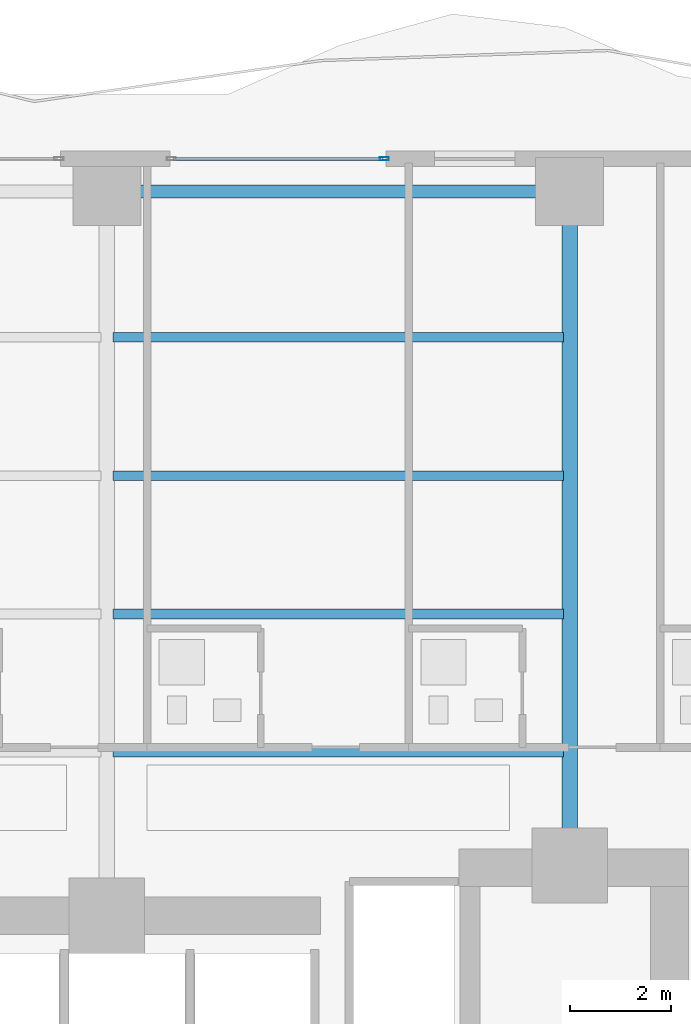
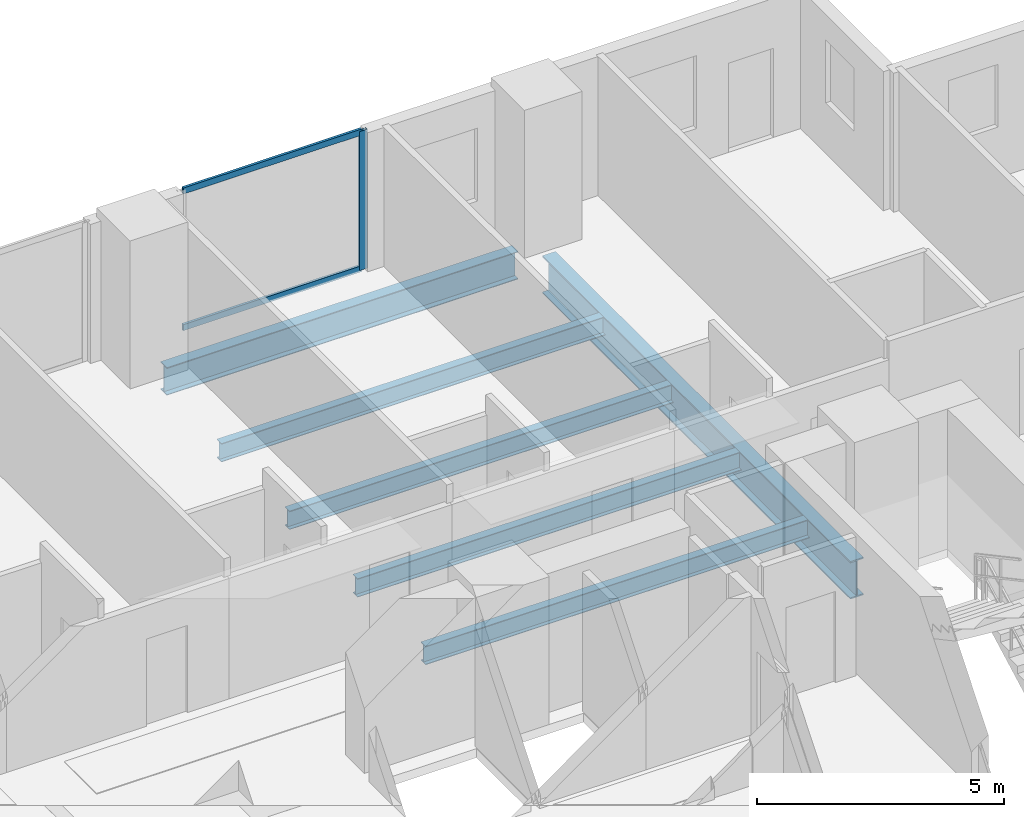
# One storey, part 18 of 29: 6 beams, 3 members, 1 element without a shape of its own.
"""IFC4 building model written with IfcOpenShell, lengths in metres."""

from ifc_helpers import new_model, si_unit, direction, frame, origin, origin_2d, place, context, subcontext, project, spatial, hollow_rectangle, i_section, extrude, material, layer, layer_set, material_profile, profile_set, type_object, element, aggregate, save


model = new_model("IFC4")

# Units and contexts
model_context = context("Model", 3, precision=1e-05, world=origin(), true_north=direction((0.0, 1.0)))
body_context = subcontext(model_context, "Body", "Model", "MODEL_VIEW")
ifc_project = project(units=[si_unit("LENGTHUNIT", "METRE"), si_unit("AREAUNIT", "SQUARE_METRE"), si_unit("VOLUMEUNIT", "CUBIC_METRE"), si_unit("PLANEANGLEUNIT", "RADIAN"), si_unit("MASSUNIT", "GRAM", prefix="KILO")], contexts=[model_context])

# Site, building, storey
site_placement = place(None, origin())
site = spatial("IfcSite", under=ifc_project, at=site_placement, CompositionType="ELEMENT")
building_placement = place(site_placement, origin())
building = spatial("IfcBuilding", under=site, at=building_placement, Name="Zuhayl Quay Hotel", CompositionType="ELEMENT")
storey_placement = place(building_placement, frame((0.0, 0.0, 113.89990234375)))
storey = spatial("IfcBuildingStorey", under=building, at=storey_placement, Name="L28", CompositionType="ELEMENT", Elevation=113.89990234375)

# Beams
ifc_material_1 = material(Name="Steel ASTM A992 Grade 50", Category="steel")
ifc_material_profile_1 = material_profile(ifc_material_1, i_section(OverallWidth=0.25390625, OverallDepth=0.68310546875, WebThickness=0.012451171875, FlangeThickness=0.018798828125, at=origin_2d()), Name="W27X94")
ifc_profile_set_1 = profile_set([ifc_material_profile_1], Name="Steel ASTM A992 Grade 50")
beam_type_1 = type_object("IfcBeamType", Name="BM_B2_W27X94", PredefinedType="BEAM", material=ifc_profile_set_1)
beam_1_placement = place(storey_placement, frame((13.300048828125, 27.75, -0.5615234375), z_axis=(-1.0, 0.0, 0.0), x_axis=(0.0, -1.0, 0.0)))
element("IfcBeam", 1, at=beam_1_placement, inside=storey, type_object=beam_type_1, Name="L28 Floor Beam RG_L28_07", PredefinedType="BEAM", context=body_context, shape_type="SweptSolid", body=[
    extrude(i_section(OverallWidth=0.25390625, OverallDepth=0.68310546875, WebThickness=0.012451171875, FlangeThickness=0.018798828125, at=origin_2d()), origin(), (0.0, 0.0, 1.0), 8.199951171875),
])
ifc_material_profile_2 = material_profile(ifc_material_1, i_section(OverallWidth=0.18994140625, OverallDepth=0.45703125, WebThickness=0.009033203125, FlangeThickness=0.014404296875, at=origin_2d()), Name="W18X50")
ifc_profile_set_2 = profile_set([ifc_material_profile_2], Name="Steel ASTM A992 Grade 50")
beam_type_2 = type_object("IfcBeamType", Name="BM_J2_W18X50", PredefinedType="JOIST", material=ifc_profile_set_2)
for number, where, z_axis, x_axis, name in (
    (2, (4.718994140625, 16.60009765625, -0.448486328125), (1.0, 0.0, 0.0), (0.0, 1.0, 0.0), "L28 Floor Beam FJ_L28_1_3"),
    (3, (4.718994140625, 19.35009765625, -0.448486328125), (1.0, 0.0, 0.0), (0.0, 1.0, 0.0), "L28 Floor Beam FJ_L28_2_3"),
    (4, (4.718994140625, 22.10009765625, -0.448486328125), (1.0, 0.0, 0.0), (0.0, 1.0, 0.0), "L28 Floor Beam FJ_L28_3_3"),
    (5, (4.718994140625, 24.85009765625, -0.448486328125), (1.0, 0.0, 0.0), (0.0, 1.0, 0.0), "L28 Floor Beam FJ_L28_4_3"),
):
    element("IfcBeam", number, at=place(storey_placement, frame(where, z_axis=z_axis, x_axis=x_axis)), inside=storey, type_object=beam_type_2, Name=name, PredefinedType="JOIST", context=body_context, shape_type="SweptSolid", body=[
        extrude(i_section(OverallWidth=0.18994140625, OverallDepth=0.45703125, WebThickness=0.009033203125, FlangeThickness=0.014404296875, at=origin_2d()), origin(), (0.0, 0.0, 1.0), 8.9619140625),
    ])
ifc_material_profile_3 = material_profile(ifc_material_1, i_section(OverallWidth=0.306884765625, OverallDepth=0.927001953125, WebThickness=0.019287109375, FlangeThickness=0.031982421875, at=origin_2d()), Name="W36X194")
ifc_profile_set_3 = profile_set([ifc_material_profile_3], Name="Steel ASTM A992 Grade 50")
beam_type_3 = type_object("IfcBeamType", Name="BM_PG2_W36X194", PredefinedType="BEAM", material=ifc_profile_set_3)
beam_2_placement = place(storey_placement, frame((13.800048828125, 14.800048828125, -0.683349609375), z_axis=(0.0, 1.0, 0.0), x_axis=(-1.0, 0.0, 0.0)))
element("IfcBeam", 6, at=beam_2_placement, inside=storey, type_object=beam_type_3, Name="L28 Floor Beam FG_N_L28_4", PredefinedType="BEAM", context=body_context, shape_type="SweptSolid", body=[
    extrude(i_section(OverallWidth=0.306884765625, OverallDepth=0.927001953125, WebThickness=0.019287109375, FlangeThickness=0.031982421875, at=origin_2d()), origin(), (0.0, 0.0, 1.0), 12.449951171875),
])

# Curtain wall, members
ifc_material_2 = material(Name="Anodised Aluminium 6063-T6", Category="aluminium")
ifc_layer = layer(ifc_material_2, 0.179931640625, Name="Anodised Aluminium 6063-T6", Category="aluminium")
ifc_layer_set = layer_set([ifc_layer], Name="Anodised Aluminium 6063-T6")
curtain_wall_type = type_object("IfcCurtainWallType", Name="CW_SYS_Z2", PredefinedType="USERDEFINED", material=ifc_layer_set)
curtain_wall_placement = place(storey_placement, origin())
curtain_wall = element("IfcCurtainWall", 7, at=curtain_wall_placement, inside=storey, type_object=curtain_wall_type, Name="L28 Curtain Wall ENV_L28_N_CW6", ObjectType="UNITISED CURTAIN WALL", PredefinedType="USERDEFINED")
ifc_material_3 = material(Name="Black-anodised aluminium 6063-T6", Category="aluminium")
ifc_material_profile_4 = material_profile(ifc_material_3, hollow_rectangle(XDim=0.06494140625, YDim=0.179931640625, WallThickness=0.00341796875, at=origin_2d()), Name="ALU180X65")
ifc_profile_set_4 = profile_set([ifc_material_profile_4], Name="Black-anodised aluminium 6063-T6")
member_type_1 = type_object("IfcMemberType", Name="MB_CW_MUL_180", PredefinedType="MULLION", material=ifc_profile_set_4)
member_1_placement = place(storey_placement, frame((10.117431640625, 28.39990234375, 0.0), z_axis=(0.0, 0.0, 1.0), x_axis=(0.0, 1.0, 0.0)))
member_1 = element("IfcMember", 8, at=member_1_placement, type_object=member_type_1, Name="CW-Z2 mullion 2", PredefinedType="MULLION", context=body_context, shape_type="SweptSolid", body=[
    extrude(hollow_rectangle(XDim=0.06494140625, YDim=0.179931640625, WallThickness=0.00341796875, at=origin_2d()), origin(), (0.0, 0.0, 1.0), 3.43017578125),
])
ifc_material_profile_5 = material_profile(ifc_material_3, hollow_rectangle(XDim=0.06005859375, YDim=0.14990234375, WallThickness=0.00341796875, at=origin_2d()), Name="ALU150X60")
ifc_profile_set_5 = profile_set([ifc_material_profile_5], Name="Black-anodised aluminium 6063-T6")
member_type_2 = type_object("IfcMemberType", Name="MB_CW_TRN_150", PredefinedType="USERDEFINED", material=ifc_profile_set_5)
member_2_placement = place(storey_placement, frame((5.9150390625, 28.39990234375, 0.030029296875), z_axis=(1.0, 0.0, 0.0), x_axis=(0.0, 1.0, 0.0)))
member_2 = element("IfcMember", 9, at=member_2_placement, type_object=member_type_2, Name="CW-Z2 transom 1.1", ObjectType="TRANSOM", PredefinedType="USERDEFINED", context=body_context, shape_type="SweptSolid", body=[
    extrude(hollow_rectangle(XDim=0.06005859375, YDim=0.14990234375, WallThickness=0.00341796875, at=origin_2d()), origin(), (0.0, 0.0, 1.0), 4.169921875),
])
member_3_placement = place(storey_placement, frame((5.9150390625, 28.39990234375, 3.400146484375), z_axis=(1.0, 0.0, 0.0), x_axis=(0.0, 1.0, 0.0)))
member_3 = element("IfcMember", 10, at=member_3_placement, type_object=member_type_2, Name="CW-Z2 transom 1.2", ObjectType="TRANSOM", PredefinedType="USERDEFINED", context=body_context, shape_type="SweptSolid", body=[
    extrude(hollow_rectangle(XDim=0.06005859375, YDim=0.14990234375, WallThickness=0.00341796875, at=origin_2d()), origin(), (0.0, 0.0, 1.0), 4.169921875),
])
aggregate(curtain_wall, [member_1, member_2, member_3])

save(model, "model.ifc")
